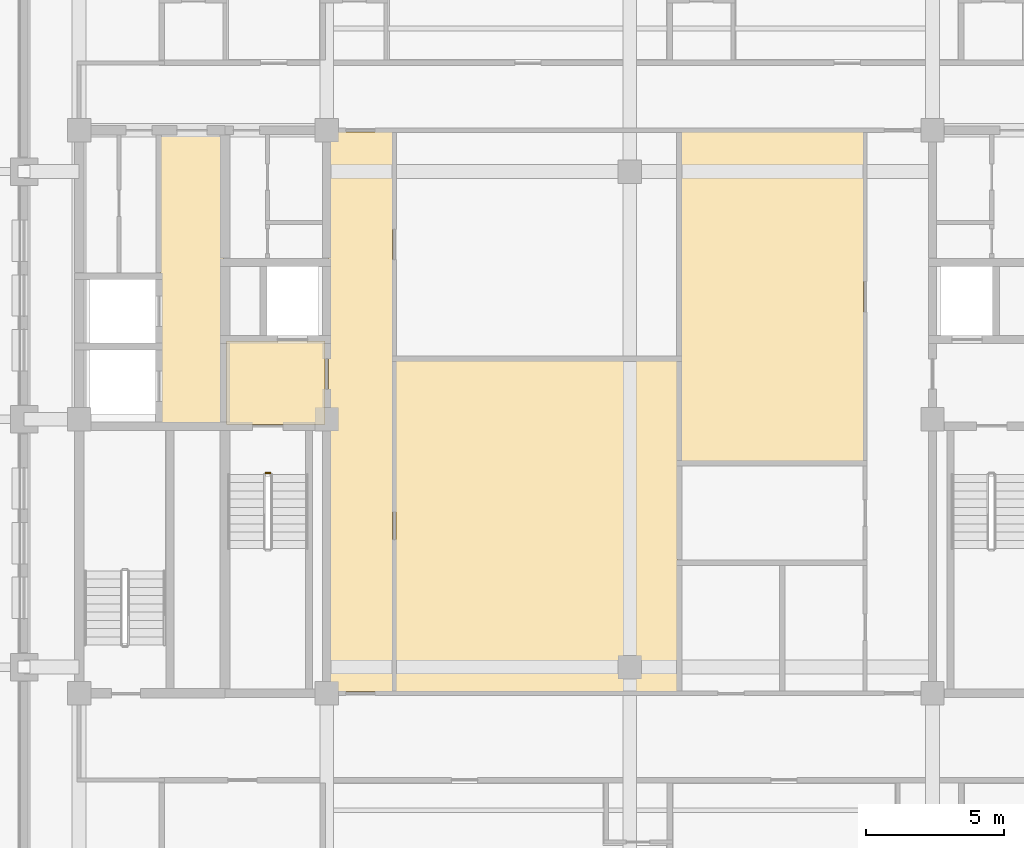
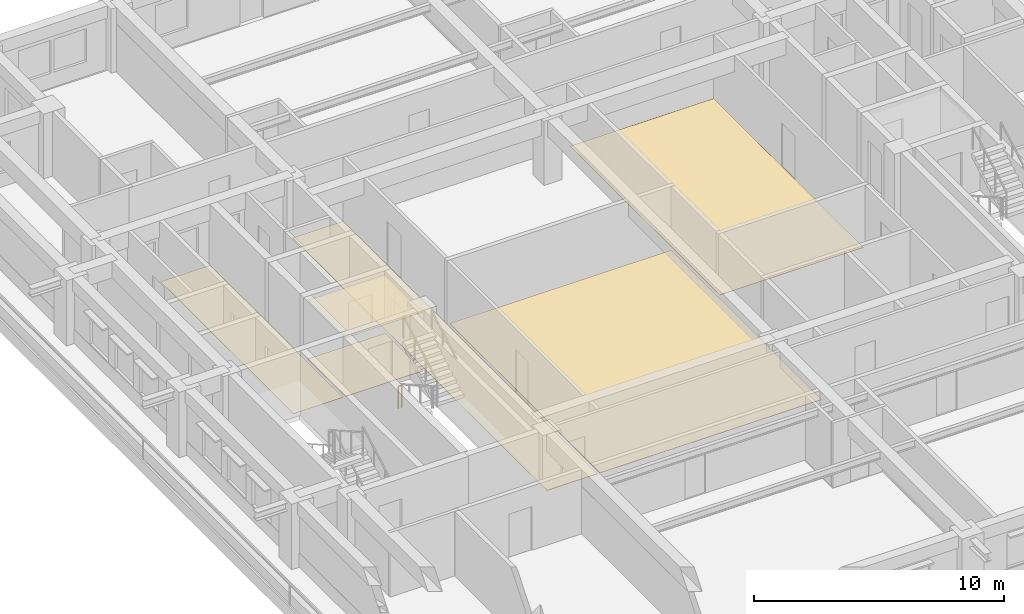
# One storey, part 11 of 14: 6 coverings, 1 railing.
"""IFC4 building model written with IfcOpenShell, lengths in metres."""

from ifc_helpers import new_model, si_unit, direction, frame, origin, origin_2d, place, context, subcontext, project, spatial, polyline, rectangle, outline, extrude, material, layer, layer_set, type_object, element, save


model = new_model("IFC4")

# Units and contexts
model_context = context("Model", 3, precision=1e-05, world=origin(), true_north=direction((0.0, 1.0)))
body_context = subcontext(model_context, "Body", "Model", "MODEL_VIEW")
ifc_project = project(units=[si_unit("LENGTHUNIT", "METRE"), si_unit("AREAUNIT", "SQUARE_METRE"), si_unit("VOLUMEUNIT", "CUBIC_METRE"), si_unit("PLANEANGLEUNIT", "RADIAN"), si_unit("MASSUNIT", "GRAM", prefix="KILO")], contexts=[model_context])

# Site, building, storey
site_placement = place(None, origin())
site = spatial("IfcSite", under=ifc_project, at=site_placement, CompositionType="ELEMENT")
building_placement = place(site_placement, origin())
building = spatial("IfcBuilding", under=site, at=building_placement, Name="Zulmaris Gate Convention Tower", CompositionType="ELEMENT")
storey_placement = place(building_placement, frame((0.0, 0.0, 162.659912109375)))
storey = spatial("IfcBuildingStorey", under=building, at=storey_placement, Name="L41", CompositionType="ELEMENT", Elevation=162.659912109375)

# Coverings
ifc_material_1 = material(Name="Mineral Fibre Acoustic Ceiling Tile")
ifc_layer_1 = layer(ifc_material_1, 0.02001953125, Name="Mineral Fibre Acoustic Ceiling Tile")
ifc_layer_set_1 = layer_set([ifc_layer_1], Name="Mineral Fibre Acoustic Ceiling Tile")
covering_type_1 = type_object("IfcCoveringType", Name="CLG-ACOUSTIC-600", PredefinedType="CEILING", material=ifc_layer_set_1)
covering_1_placement = place(storey_placement, frame((0.0, 0.0, 2.869873046875)))
element("IfcCovering", 1, at=covering_1_placement, inside=storey, type_object=covering_type_1, Name="CLG-L41-R03", PredefinedType="CEILING", context=body_context, shape_type="SweptSolid", body=[
    extrude(outline(polyline([(-14.639892578125, -0.18994140625), (-11.06005859375, -0.18994140625), (-11.06005859375, 2.840087890625), (-14.639892578125, 2.840087890625), (-14.639892578125, -0.18994140625)])), origin(), (0.0, 0.0, 1.0), 0.02001953125),
])
ifc_material_2 = material(Name="Woven Acoustic Wool Carpet Tile")
ifc_layer_2 = layer(ifc_material_2, 0.02001953125, Name="Woven Acoustic Wool Carpet Tile")
ifc_layer_set_2 = layer_set([ifc_layer_2], Name="Woven Acoustic Wool Carpet Tile")
covering_type_2 = type_object("IfcCoveringType", Name="FLR-CARPET-12", PredefinedType="FLOORING", material=ifc_layer_set_2)
covering_2_placement = place(storey_placement, origin())
element("IfcCovering", 2, at=covering_2_placement, inside=storey, type_object=covering_type_2, Name="FLR-L41-R03", PredefinedType="FLOORING", context=body_context, shape_type="SweptSolid", body=[
    extrude(outline(polyline([(-14.639892578125, -0.18994140625), (-11.06005859375, -0.18994140625), (-11.06005859375, 2.840087890625), (-14.639892578125, 2.840087890625), (-14.639892578125, -0.18994140625)])), origin(), (0.0, 0.0, 1.0), 0.02001953125),
])
covering_3_placement = place(storey_placement, origin())
element("IfcCovering", 3, at=covering_3_placement, inside=storey, type_object=covering_type_2, Name="FLR-L41-R21", PredefinedType="FLOORING", context=body_context, shape_type="SweptSolid", body=[
    extrude(outline(polyline([(-17.0400390625, -0.18994140625), (-14.760009765625, -0.18994140625), (-14.760009765625, 10.43994140625), (-17.0400390625, 10.43994140625), (-17.0400390625, -0.18994140625)])), origin(), (0.0, 0.0, 1.0), 0.02001953125),
])
covering_4_placement = place(storey_placement, origin())
element("IfcCovering", 4, at=covering_4_placement, inside=storey, type_object=covering_type_2, Name="FLR-L41-R34", PredefinedType="FLOORING", context=body_context, shape_type="SweptSolid", body=[
    extrude(outline(polyline([(-10.93994140625, -9.889892578125), (-8.610107421875, -9.889892578125), (-8.610107421875, 10.43994140625), (-10.93994140625, 10.43994140625), (-10.93994140625, -9.889892578125)])), origin(), (0.0, 0.0, 1.0), 0.02001953125),
])
covering_5_placement = place(storey_placement, origin())
element("IfcCovering", 5, at=covering_5_placement, inside=storey, type_object=covering_type_2, Name="FLR-L41-R52", PredefinedType="FLOORING", context=body_context, shape_type="SweptSolid", body=[
    extrude(outline(polyline([(-8.489990234375, -9.889892578125), (1.739990234375, -9.889892578125), (1.739990234375, 2.139892578125), (-8.489990234375, 2.139892578125), (-8.489990234375, -9.889892578125)])), origin(), (0.0, 0.0, 1.0), 0.02001953125),
])
ifc_material_3 = material(Name="Engineered Teak Parquet Flooring")
ifc_layer_3 = layer(ifc_material_3, 0.02001953125, Name="Engineered Teak Parquet Flooring")
ifc_layer_set_3 = layer_set([ifc_layer_3], Name="Engineered Teak Parquet Flooring")
covering_type_3 = type_object("IfcCoveringType", Name="FLR-TIMBER-18", PredefinedType="FLOORING", material=ifc_layer_set_3)
covering_6_placement = place(storey_placement, origin())
element("IfcCovering", 6, at=covering_6_placement, inside=storey, type_object=covering_type_3, Name="FLR-L41-R53", PredefinedType="FLOORING", context=body_context, shape_type="SweptSolid", body=[
    extrude(outline(polyline([(1.860107421875, -1.5400390625), (8.489990234375, -1.5400390625), (8.489990234375, 10.43994140625), (1.860107421875, 10.43994140625), (1.860107421875, -1.5400390625)])), origin(), (0.0, 0.0, 1.0), 0.02001953125),
])

# Railing
ifc_material_4 = material(Name="Painted Galvanised Steel", Category="steel")
railing_type = type_object("IfcRailingType", Name="RL-STG-1150", PredefinedType="GUARDRAIL", material=ifc_material_4)
railing_placement = place(storey_placement, frame((-13.219970703125, -1.949951171875, 0.0)))
element("IfcRailing", 7, at=railing_placement, inside=storey, type_object=railing_type, Name="L41 ST-1 stair guard 4", PredefinedType="GUARDRAIL", context=body_context, shape_type="SweptSolid", body=[
    extrude(rectangle(XDim=0.048095703125, YDim=0.048095703125, at=origin_2d()), frame((0.0, 0.0, 1.076171875), z_axis=(1.0, 0.0, 0.0), x_axis=(0.0, 1.0, 0.0)), (0.0, 0.0, 1.0), 0.159912109375),
    extrude(rectangle(XDim=0.0419921875, YDim=0.0419921875, at=origin_2d()), origin(), (0.0, 0.0, 1.0), 1.052001953125),
    extrude(rectangle(XDim=0.0419921875, YDim=0.0419921875, at=origin_2d()), frame((0.159912109375, 0.0, 0.0)), (0.0, 0.0, 1.0), 1.052001953125),
])

save(model, "model.ifc")
